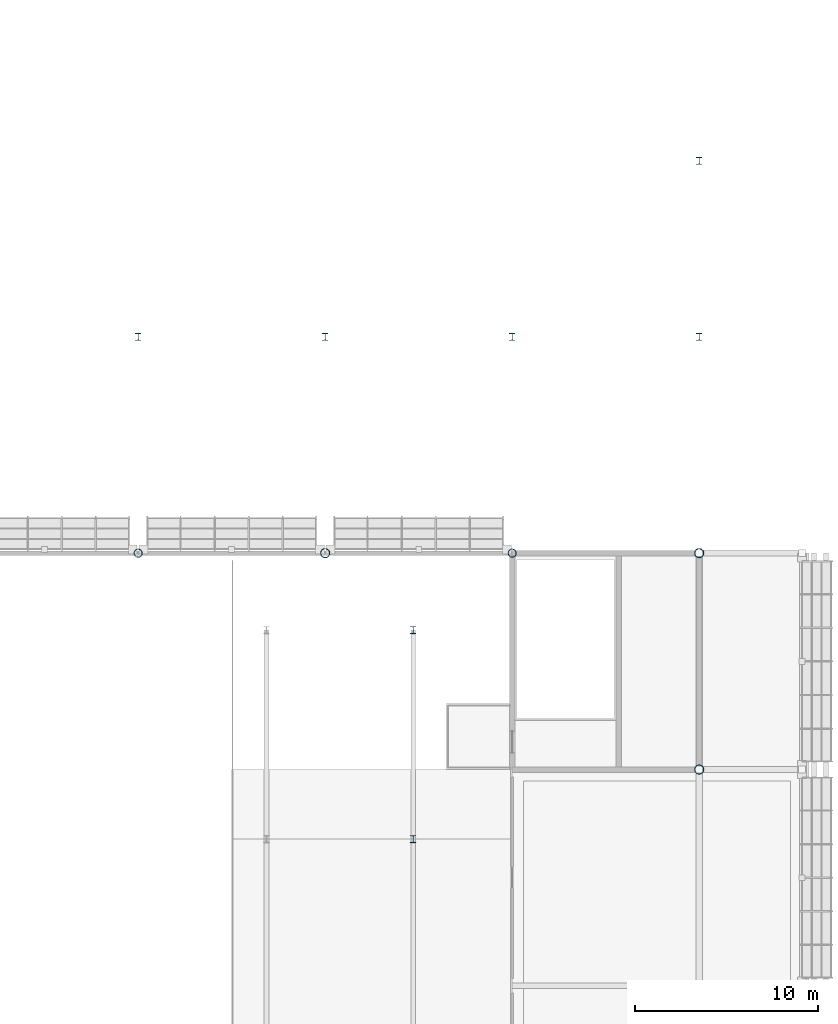
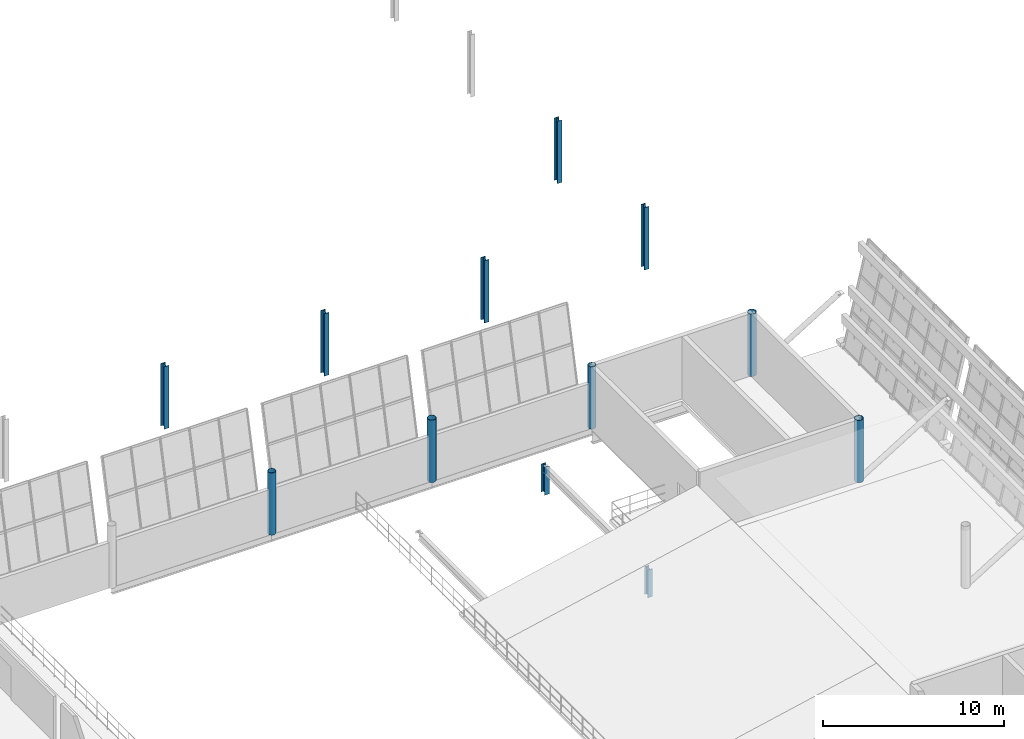
# One storey, part 15 of 157: 12 columns.
"""IFC4 building model written with IfcOpenShell, lengths in metres."""

from ifc_helpers import new_model, si_unit, direction, frame, origin, origin_2d, place, context, subcontext, project, spatial, hollow_circle, i_section, extrude, material, material_profile, profile_set, type_object, element, save


model = new_model("IFC4")

# Units and contexts
model_context = context("Model", 3, precision=1e-05, world=origin(), true_north=direction((0.0, 1.0)))
body_context = subcontext(model_context, "Body", "Model", "MODEL_VIEW")
ifc_project = project(units=[si_unit("LENGTHUNIT", "METRE"), si_unit("AREAUNIT", "SQUARE_METRE"), si_unit("VOLUMEUNIT", "CUBIC_METRE"), si_unit("PLANEANGLEUNIT", "RADIAN"), si_unit("MASSUNIT", "GRAM", prefix="KILO")], contexts=[model_context])

# Site, building, storey
site_placement = place(None, origin())
site = spatial("IfcSite", under=ifc_project, at=site_placement, CompositionType="ELEMENT")
building_placement = place(site_placement, origin())
building = spatial("IfcBuilding", under=site, at=building_placement, Name="Brelvane Convention Centre", CompositionType="ELEMENT")
storey_placement = place(building_placement, frame((0.0, 0.0, 10.800048828125)))
storey = spatial("IfcBuildingStorey", under=building, at=storey_placement, Name="L02", CompositionType="ELEMENT", Elevation=10.800048828125)

# Columns
ifc_material_1 = material(Name="Steel E450 (450 MPa)", Category="steel")
ifc_material_profile_1 = material_profile(ifc_material_1, hollow_circle(Radius=0.25390625, WallThickness=0.02001953125, at=origin_2d()), Name="CHS 508.0x20.0")
ifc_profile_set_1 = profile_set([ifc_material_profile_1], Name="Steel E450 (450 MPa)")
column_type_1 = type_object("IfcColumnType", Name="Steel Column C-ST2 (CHS 508.0x20.0)", PredefinedType="COLUMN", material=ifc_profile_set_1)
for number, where, z_axis, x_axis, name in (
    (1, (204.0, 87.800048828125, 0.0), (0.0, 0.0, 1.0), (1.0, 0.0, 0.0), "Column 21-J (L02)"),
    (2, (224.39990234375, 76.0, 0.0), (0.0, 0.0, 1.0), (1.0, 0.0, 0.0), "Column 23-H (L02)"),
    (3, (224.39990234375, 87.800048828125, 0.0), (0.0, 0.0, 1.0), (1.0, 0.0, 0.0), "Column 23-J (L02)"),
):
    element("IfcColumn", number, at=place(storey_placement, frame(where, z_axis=z_axis, x_axis=x_axis)), inside=storey, type_object=column_type_1, Name=name, PredefinedType="COLUMN", context=body_context, shape_type="SweptSolid", body=[
        extrude(hollow_circle(Radius=0.25390625, WallThickness=0.02001953125, at=origin_2d()), origin(), (0.0, 0.0, 1.0), 4.199951171875),
    ])
ifc_material_2 = material(Name="Steel E450 (450 MPa)", Category="steel")
ifc_material_profile_2 = material_profile(ifc_material_2, hollow_circle(Radius=0.228515625, WallThickness=0.02001953125, at=origin_2d()), Name="CHS 457.0x20.0")
ifc_profile_set_2 = profile_set([ifc_material_profile_2], Name="Steel E450 (450 MPa)")
column_type_2 = type_object("IfcColumnType", Name="Steel Column C-ST3 (CHS 457.0x20.0)", PredefinedType="COLUMN", material=ifc_profile_set_2)
for number, where, z_axis, x_axis, name in (
    (4, (193.800048828125, 87.800048828125, 0.0), (0.0, 0.0, 1.0), (1.0, 0.0, 0.0), "Column 20-J (L02)"),
    (5, (214.199951171875, 87.800048828125, 0.0), (0.0, 0.0, 1.0), (1.0, 0.0, 0.0), "Column 22-J (L02)"),
):
    element("IfcColumn", number, at=place(storey_placement, frame(where, z_axis=z_axis, x_axis=x_axis)), inside=storey, type_object=column_type_2, Name=name, PredefinedType="COLUMN", context=body_context, shape_type="SweptSolid", body=[
        extrude(hollow_circle(Radius=0.228515625, WallThickness=0.02001953125, at=origin_2d()), origin(), (0.0, 0.0, 1.0), 4.199951171875),
    ])
ifc_material_3 = material(Name="Steel E350 (350 MPa)", Category="steel")
ifc_material_profile_3 = material_profile(ifc_material_3, i_section(OverallWidth=0.300048828125, OverallDepth=0.39990234375, WebThickness=0.013427734375, FlangeThickness=0.02392578125, FilletRadius=0.027099609375, at=origin_2d()), Name="WPB 400x300")
ifc_profile_set_3 = profile_set([ifc_material_profile_3], Name="Steel E350 (350 MPa)")
column_type_3 = type_object("IfcColumnType", Name="Steel Column C-ST7 (WPB 400x300)", PredefinedType="COLUMN", material=ifc_profile_set_3)
for number, where, z_axis, x_axis, name in (
    (6, (193.800048828125, 99.60009765625, 0.0), (0.0, 0.0, 1.0), (1.0, 0.0, 0.0), "Column 20-K (L02)"),
    (7, (204.0, 99.60009765625, 0.0), (0.0, 0.0, 1.0), (1.0, 0.0, 0.0), "Column 21-K (L02)"),
    (8, (214.199951171875, 99.60009765625, 0.0), (0.0, 0.0, 1.0), (1.0, 0.0, 0.0), "Column 22-K (L02)"),
    (9, (224.39990234375, 99.60009765625, 0.0), (0.0, 0.0, 1.0), (1.0, 0.0, 0.0), "Column 23-K (L02)"),
    (10, (224.39990234375, 109.199951171875, 0.0), (0.0, 0.0, 1.0), (1.0, 0.0, 0.0), "Column 23-L (L02)"),
):
    element("IfcColumn", number, at=place(storey_placement, frame(where, z_axis=z_axis, x_axis=x_axis)), inside=storey, type_object=column_type_3, Name=name, PredefinedType="COLUMN", context=body_context, shape_type="SweptSolid", body=[
        extrude(i_section(OverallWidth=0.300048828125, OverallDepth=0.39990234375, WebThickness=0.013427734375, FlangeThickness=0.02392578125, FilletRadius=0.027099609375, at=origin_2d()), origin(), (0.0, 0.0, 1.0), 4.199951171875),
    ])
for number, where, z_axis, x_axis, name in (
    (11, (208.800048828125, 72.199951171875, 0.0), (0.0, 0.0, 1.0), (1.0, 0.0, 0.0), "Plenary Balcony Tier Column L02 U2-Y72"),
    (12, (208.800048828125, 83.60009765625, 0.0), (0.0, 0.0, 1.0), (1.0, 0.0, 0.0), "Plenary Balcony Tier Column L02 U2-Y83"),
):
    element("IfcColumn", number, at=place(storey_placement, frame(where, z_axis=z_axis, x_axis=x_axis)), inside=storey, type_object=column_type_3, Name=name, PredefinedType="COLUMN", context=body_context, shape_type="SweptSolid", body=[
        extrude(i_section(OverallWidth=0.300048828125, OverallDepth=0.39990234375, WebThickness=0.013427734375, FlangeThickness=0.02392578125, FilletRadius=0.027099609375, at=origin_2d()), origin(), (0.0, 0.0, 1.0), 1.8798828125),
    ])

save(model, "model.ifc")
